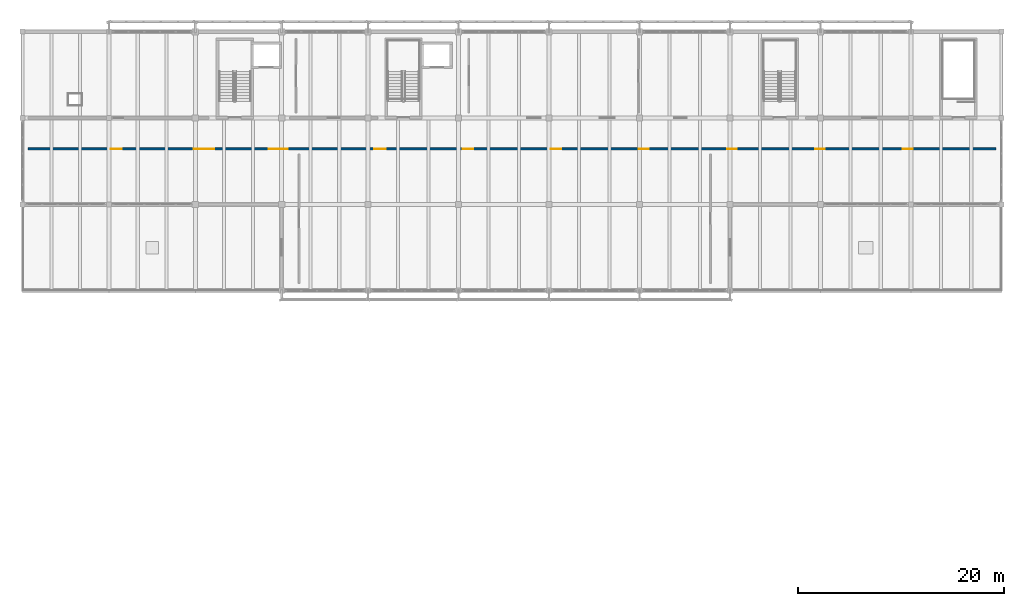
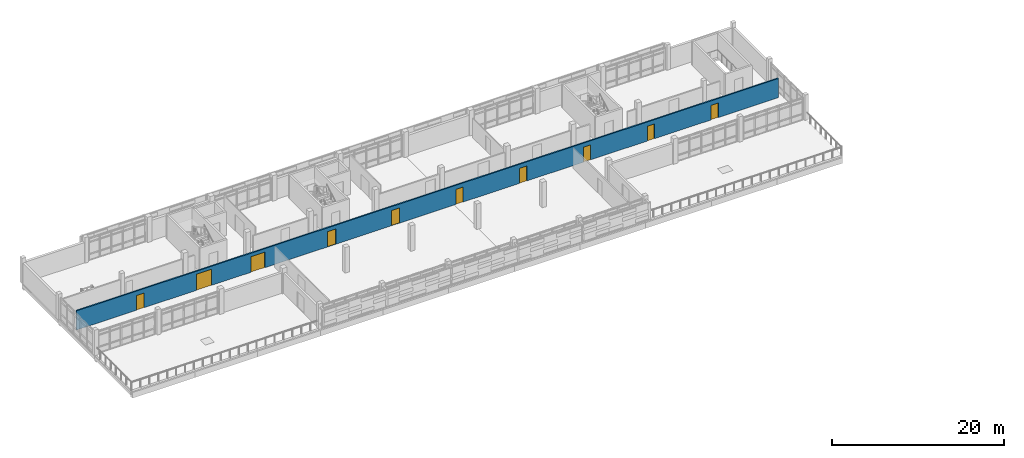
# One storey, part 44 of 50: 10 doors, 1 wall, 10 openings.
"""IFC4 building model written with IfcOpenShell, lengths in metres."""

from ifc_helpers import new_model, si_unit, direction, frame, frame_2d, origin, place, context, subcontext, project, spatial, rectangle, extrude, material, layer, layer_set, type_object, element, fill, save


model = new_model("IFC4")

# Units and contexts
model_context = context("Model", 3, precision=1e-05, world=origin(), true_north=direction((0.0, 1.0)))
body_context = subcontext(model_context, "Body", "Model", "MODEL_VIEW")
ifc_project = project(units=[si_unit("LENGTHUNIT", "METRE"), si_unit("AREAUNIT", "SQUARE_METRE"), si_unit("VOLUMEUNIT", "CUBIC_METRE"), si_unit("PLANEANGLEUNIT", "RADIAN"), si_unit("MASSUNIT", "GRAM", prefix="KILO")], contexts=[model_context])

# Site, building, storey
site_placement = place(None, origin())
site = spatial("IfcSite", under=ifc_project, at=site_placement, CompositionType="ELEMENT")
building_placement = place(site_placement, origin())
building = spatial("IfcBuilding", under=site, at=building_placement, Name="Cinderway Yard Community Centre", CompositionType="ELEMENT")
storey_placement = place(building_placement, frame((0.0, 0.0, 12.89990234375)))
storey = spatial("IfcBuildingStorey", under=building, at=storey_placement, Name="L03", CompositionType="ELEMENT", Elevation=12.89990234375)

# Wall, openings, doors
ifc_material_1 = material(Name="Brick Masonry", Category="masonry")
ifc_layer = layer(ifc_material_1, 0.179931640625, Name="Brick Masonry")
ifc_layer_set = layer_set([ifc_layer], Name="Brick Masonry")
wall_type = type_object("IfcWallType", Name="INT-WAL-PRT180", PredefinedType="PARTITIONING", material=ifc_layer_set)
wall_placement = place(storey_placement, frame((42.14990234375, 103.800048828125, 0.0), z_axis=(0.0, 0.0, 1.0), x_axis=(1.0, 0.0, 0.0)))
wall = element("IfcWall", 1, at=wall_placement, inside=storey, type_object=wall_type, Name="V4 L03 South Corridor Spine INT-PRT-L03-0316", PredefinedType="PARTITIONING", context=body_context, shape_type="SweptSolid", body=[
    extrude(rectangle(XDim=94.10009765625, YDim=0.179931640625, at=frame_2d((47.050048828125, 0.0))), origin(), (0.0, 0.0, 1.0), 2.715087890625),
])
opening_1_placement = place(wall_placement, frame((8.034912109375, 0.0, 0.0)))
opening_1 = element("IfcOpeningElement", 2, at=opening_1_placement, cuts=wall, Name="Opening D-17", PredefinedType="OPENING", context=body_context, shape_type="SweptSolid", body=[
    extrude(rectangle(XDim=1.0400390625, YDim=2.080078125, at=frame_2d((0.52001953125, 1.0400390625))), frame((0.0, 0.099853515625, 0.0), z_axis=(0.0, -1.0, 0.0), x_axis=(1.0, 0.0, 0.0)), (0.0, 0.0, 1.0), 0.199951171875),
])
opening_2_placement = place(wall_placement, frame((16.10888671875, 0.0, 0.0)))
opening_2 = element("IfcOpeningElement", 3, at=opening_2_placement, cuts=wall, Name="Opening D-01", PredefinedType="OPENING", context=body_context, shape_type="SweptSolid", body=[
    extrude(rectangle(XDim=2.0, YDim=2.300048828125, at=frame_2d((1.0, 1.14990234375))), frame((0.0, 0.099853515625, 0.0), z_axis=(0.0, -1.0, 0.0), x_axis=(1.0, 0.0, 0.0)), (0.0, 0.0, 1.0), 0.199951171875),
])
opening_3_placement = place(wall_placement, frame((23.388916015625, 0.0, 0.0)))
opening_3 = element("IfcOpeningElement", 4, at=opening_3_placement, cuts=wall, Name="Opening D-02", PredefinedType="OPENING", context=body_context, shape_type="SweptSolid", body=[
    extrude(rectangle(XDim=1.85009765625, YDim=2.219970703125, at=frame_2d((0.925048828125, 1.10986328125))), frame((0.0, 0.099853515625, 0.0), z_axis=(0.0, -1.0, 0.0), x_axis=(1.0, 0.0, 0.0)), (0.0, 0.0, 1.0), 0.199951171875),
])
opening_4_placement = place(wall_placement, frame((33.657958984375, 0.0, 0.0)))
opening_4 = element("IfcOpeningElement", 5, at=opening_4_placement, cuts=wall, Name="Opening D-03", PredefinedType="OPENING", context=body_context, shape_type="SweptSolid", body=[
    extrude(rectangle(XDim=1.1201171875, YDim=2.159912109375, at=frame_2d((0.56005859375, 1.080078125))), frame((0.0, 0.099853515625, 0.0), z_axis=(0.0, -1.0, 0.0), x_axis=(1.0, 0.0, 0.0)), (0.0, 0.0, 1.0), 0.199951171875),
])
opening_5_placement = place(wall_placement, frame((42.242919921875, 0.0, 0.0)))
opening_5 = element("IfcOpeningElement", 6, at=opening_5_placement, cuts=wall, Name="Opening D-04", PredefinedType="OPENING", context=body_context, shape_type="SweptSolid", body=[
    extrude(rectangle(XDim=1.06005859375, YDim=2.159912109375, at=frame_2d((0.530029296875, 1.080078125))), frame((0.0, 0.099853515625, 0.0), z_axis=(0.0, -1.0, 0.0), x_axis=(1.0, 0.0, 0.0)), (0.0, 0.0, 1.0), 0.199951171875),
])
opening_6_placement = place(wall_placement, frame((50.826904296875, 0.0, 0.0)))
opening_6 = element("IfcOpeningElement", 7, at=opening_6_placement, cuts=wall, Name="Opening D-05", PredefinedType="OPENING", context=body_context, shape_type="SweptSolid", body=[
    extrude(rectangle(XDim=1.0, YDim=2.139892578125, at=frame_2d((0.5, 1.06982421875))), frame((0.0, 0.099853515625, 0.0), z_axis=(0.0, -1.0, 0.0), x_axis=(1.0, 0.0, 0.0)), (0.0, 0.0, 1.0), 0.199951171875),
])
opening_7_placement = place(wall_placement, frame((59.39208984375, 0.0, 0.0)))
opening_7 = element("IfcOpeningElement", 8, at=opening_7_placement, cuts=wall, Name="Opening D-06", PredefinedType="OPENING", context=body_context, shape_type="SweptSolid", body=[
    extrude(rectangle(XDim=0.97998046875, YDim=2.1201171875, at=frame_2d((0.489990234375, 1.06005859375))), frame((0.0, 0.099853515625, 0.0), z_axis=(0.0, -1.0, 0.0), x_axis=(1.0, 0.0, 0.0)), (0.0, 0.0, 1.0), 0.199951171875),
])
opening_8_placement = place(wall_placement, frame((67.9609375, 0.0, 0.0)))
opening_8 = element("IfcOpeningElement", 9, at=opening_8_placement, cuts=wall, Name="Opening D-07", PredefinedType="OPENING", context=body_context, shape_type="SweptSolid", body=[
    extrude(rectangle(XDim=0.949951171875, YDim=2.1201171875, at=frame_2d((0.47509765625, 1.06005859375))), frame((0.0, 0.099853515625, 0.0), z_axis=(0.0, -1.0, 0.0), x_axis=(1.0, 0.0, 0.0)), (0.0, 0.0, 1.0), 0.199951171875),
])
opening_9_placement = place(wall_placement, frame((76.531005859375, 0.0, 0.0)))
opening_9 = element("IfcOpeningElement", 10, at=opening_9_placement, cuts=wall, Name="Opening D-08", PredefinedType="OPENING", context=body_context, shape_type="SweptSolid", body=[
    extrude(rectangle(XDim=0.919921875, YDim=2.10009765625, at=frame_2d((0.4599609375, 1.050048828125))), frame((0.0, 0.099853515625, 0.0), z_axis=(0.0, -1.0, 0.0), x_axis=(1.0, 0.0, 0.0)), (0.0, 0.0, 1.0), 0.199951171875),
])
opening_10_placement = place(wall_placement, frame((85.06494140625, 0.0, 0.0)))
opening_10 = element("IfcOpeningElement", 11, at=opening_10_placement, cuts=wall, Name="Opening D-09", PredefinedType="OPENING", context=body_context, shape_type="SweptSolid", body=[
    extrude(rectangle(XDim=0.9599609375, YDim=2.080078125, at=frame_2d((0.47998046875, 1.0400390625))), frame((0.0, 0.099853515625, 0.0), z_axis=(0.0, -1.0, 0.0), x_axis=(1.0, 0.0, 0.0)), (0.0, 0.0, 1.0), 0.199951171875),
])
ifc_material_2 = material(Name="Hardwood Timber", Category="wood")
door_type_1 = type_object("IfcDoorType", Name="INT-DOR-CLS100", OperationType="NOTDEFINED", PredefinedType="DOOR", material=ifc_material_2)
door_1_placement = place(opening_6_placement, origin())
door_1 = element("IfcDoor", 12, at=door_1_placement, inside=storey, type_object=door_type_1, Name="Room door INT-DOR-L03-0235", OperationType="SINGLE_SWING_LEFT", OverallHeight=2.139892578125, OverallWidth=1.0, PredefinedType="DOOR", context=body_context, shape_type="SweptSolid", body=[
    extrude(rectangle(XDim=1.0, YDim=2.139892578125, at=frame_2d((0.5, 1.06982421875))), frame((0.0, 0.02490234375, 0.0), z_axis=(0.0, -1.0, 0.0), x_axis=(1.0, 0.0, 0.0)), (0.0, 0.0, 1.0), 0.050048828125),
])
fill(opening_6, door_1)
door_type_2 = type_object("IfcDoorType", Name="INT-DOR-CLS106", OperationType="NOTDEFINED", PredefinedType="DOOR", material=ifc_material_2)
door_2_placement = place(opening_5_placement, origin())
door_2 = element("IfcDoor", 13, at=door_2_placement, inside=storey, type_object=door_type_2, Name="Room door INT-DOR-L03-0234", OperationType="SINGLE_SWING_RIGHT", OverallHeight=2.159912109375, OverallWidth=1.06005859375, PredefinedType="DOOR", context=body_context, shape_type="SweptSolid", body=[
    extrude(rectangle(XDim=1.06005859375, YDim=2.159912109375, at=frame_2d((0.530029296875, 1.080078125))), frame((0.0, 0.02490234375, 0.0), z_axis=(0.0, -1.0, 0.0), x_axis=(1.0, 0.0, 0.0)), (0.0, 0.0, 1.0), 0.050048828125),
])
fill(opening_5, door_2)
door_type_3 = type_object("IfcDoorType", Name="INT-DOR-CLS112", OperationType="NOTDEFINED", PredefinedType="DOOR", material=ifc_material_2)
door_3_placement = place(opening_4_placement, origin())
door_3 = element("IfcDoor", 14, at=door_3_placement, inside=storey, type_object=door_type_3, Name="Room door INT-DOR-L03-0233", OperationType="SINGLE_SWING_LEFT", OverallHeight=2.159912109375, OverallWidth=1.1201171875, PredefinedType="DOOR", context=body_context, shape_type="SweptSolid", body=[
    extrude(rectangle(XDim=1.1201171875, YDim=2.159912109375, at=frame_2d((0.56005859375, 1.080078125))), frame((0.0, 0.02490234375, 0.0), z_axis=(0.0, -1.0, 0.0), x_axis=(1.0, 0.0, 0.0)), (0.0, 0.0, 1.0), 0.050048828125),
])
fill(opening_4, door_3)
door_type_4 = type_object("IfcDoorType", Name="INT-DOR-HAL185", OperationType="DOUBLE_DOOR_SINGLE_SWING", PredefinedType="DOOR", material=ifc_material_2)
door_4_placement = place(opening_3_placement, origin())
door_4 = element("IfcDoor", 15, at=door_4_placement, inside=storey, type_object=door_type_4, Name="Room door INT-DOR-L03-0232", OperationType="DOUBLE_DOOR_SINGLE_SWING", OverallHeight=2.219970703125, OverallWidth=1.85009765625, PredefinedType="DOOR", context=body_context, shape_type="SweptSolid", body=[
    extrude(rectangle(XDim=1.85009765625, YDim=2.219970703125, at=frame_2d((0.925048828125, 1.10986328125))), frame((0.0, 0.02490234375, 0.0), z_axis=(0.0, -1.0, 0.0), x_axis=(1.0, 0.0, 0.0)), (0.0, 0.0, 1.0), 0.050048828125),
])
fill(opening_3, door_4)
door_type_5 = type_object("IfcDoorType", Name="INT-DOR-HAL200", OperationType="DOUBLE_DOOR_SINGLE_SWING", PredefinedType="DOOR", material=ifc_material_2)
door_5_placement = place(opening_2_placement, origin())
door_5 = element("IfcDoor", 16, at=door_5_placement, inside=storey, type_object=door_type_5, Name="Room door INT-DOR-L03-0231", OperationType="DOUBLE_DOOR_SINGLE_SWING", OverallHeight=2.300048828125, OverallWidth=2.0, PredefinedType="DOOR", context=body_context, shape_type="SweptSolid", body=[
    extrude(rectangle(XDim=2.0, YDim=2.300048828125, at=frame_2d((1.0, 1.14990234375))), frame((0.0, 0.02490234375, 0.0), z_axis=(0.0, -1.0, 0.0), x_axis=(1.0, 0.0, 0.0)), (0.0, 0.0, 1.0), 0.050048828125),
])
fill(opening_2, door_5)
door_type_6 = type_object("IfcDoorType", Name="INT-DOR-NUR104", OperationType="NOTDEFINED", PredefinedType="DOOR", material=ifc_material_2)
door_6_placement = place(opening_1_placement, origin())
door_6 = element("IfcDoor", 17, at=door_6_placement, inside=storey, type_object=door_type_6, Name="Room door INT-DOR-L03-0230", OperationType="SINGLE_SWING_RIGHT", OverallHeight=2.080078125, OverallWidth=1.0400390625, PredefinedType="DOOR", context=body_context, shape_type="SweptSolid", body=[
    extrude(rectangle(XDim=1.0400390625, YDim=2.080078125, at=frame_2d((0.52001953125, 1.0400390625))), frame((0.0, 0.02490234375, 0.0), z_axis=(0.0, -1.0, 0.0), x_axis=(1.0, 0.0, 0.0)), (0.0, 0.0, 1.0), 0.050048828125),
])
fill(opening_1, door_6)
door_type_7 = type_object("IfcDoorType", Name="INT-DOR-OFF092", OperationType="NOTDEFINED", PredefinedType="DOOR", material=ifc_material_2)
door_7_placement = place(opening_9_placement, origin())
door_7 = element("IfcDoor", 18, at=door_7_placement, inside=storey, type_object=door_type_7, Name="Room door INT-DOR-L03-0238", OperationType="SINGLE_SWING_RIGHT", OverallHeight=2.10009765625, OverallWidth=0.919921875, PredefinedType="DOOR", context=body_context, shape_type="SweptSolid", body=[
    extrude(rectangle(XDim=0.919921875, YDim=2.10009765625, at=frame_2d((0.4599609375, 1.050048828125))), frame((0.0, 0.02490234375, 0.0), z_axis=(0.0, -1.0, 0.0), x_axis=(1.0, 0.0, 0.0)), (0.0, 0.0, 1.0), 0.050048828125),
])
fill(opening_9, door_7)
door_type_8 = type_object("IfcDoorType", Name="INT-DOR-OFF095", OperationType="NOTDEFINED", PredefinedType="DOOR", material=ifc_material_2)
door_8_placement = place(opening_8_placement, origin())
door_8 = element("IfcDoor", 19, at=door_8_placement, inside=storey, type_object=door_type_8, Name="Room door INT-DOR-L03-0237", OperationType="SINGLE_SWING_LEFT", OverallHeight=2.1201171875, OverallWidth=0.949951171875, PredefinedType="DOOR", context=body_context, shape_type="SweptSolid", body=[
    extrude(rectangle(XDim=0.949951171875, YDim=2.1201171875, at=frame_2d((0.47509765625, 1.06005859375))), frame((0.0, 0.02490234375, 0.0), z_axis=(0.0, -1.0, 0.0), x_axis=(1.0, 0.0, 0.0)), (0.0, 0.0, 1.0), 0.050048828125),
])
fill(opening_8, door_8)
door_type_9 = type_object("IfcDoorType", Name="INT-DOR-OFF098", OperationType="NOTDEFINED", PredefinedType="DOOR", material=ifc_material_2)
door_9_placement = place(opening_7_placement, origin())
door_9 = element("IfcDoor", 20, at=door_9_placement, inside=storey, type_object=door_type_9, Name="Room door INT-DOR-L03-0236", OperationType="SINGLE_SWING_RIGHT", OverallHeight=2.1201171875, OverallWidth=0.97998046875, PredefinedType="DOOR", context=body_context, shape_type="SweptSolid", body=[
    extrude(rectangle(XDim=0.97998046875, YDim=2.1201171875, at=frame_2d((0.489990234375, 1.06005859375))), frame((0.0, 0.02490234375, 0.0), z_axis=(0.0, -1.0, 0.0), x_axis=(1.0, 0.0, 0.0)), (0.0, 0.0, 1.0), 0.050048828125),
])
fill(opening_7, door_9)
door_type_10 = type_object("IfcDoorType", Name="INT-DOR-SAN096", OperationType="NOTDEFINED", PredefinedType="DOOR", material=ifc_material_2)
door_10_placement = place(opening_10_placement, origin())
door_10 = element("IfcDoor", 21, at=door_10_placement, inside=storey, type_object=door_type_10, Name="Room door INT-DOR-L03-0239", OperationType="SINGLE_SWING_LEFT", OverallHeight=2.080078125, OverallWidth=0.9599609375, PredefinedType="DOOR", context=body_context, shape_type="SweptSolid", body=[
    extrude(rectangle(XDim=0.9599609375, YDim=2.080078125, at=frame_2d((0.47998046875, 1.0400390625))), frame((0.0, 0.02490234375, 0.0), z_axis=(0.0, -1.0, 0.0), x_axis=(1.0, 0.0, 0.0)), (0.0, 0.0, 1.0), 0.050048828125),
])
fill(opening_10, door_10)

save(model, "model.ifc")
